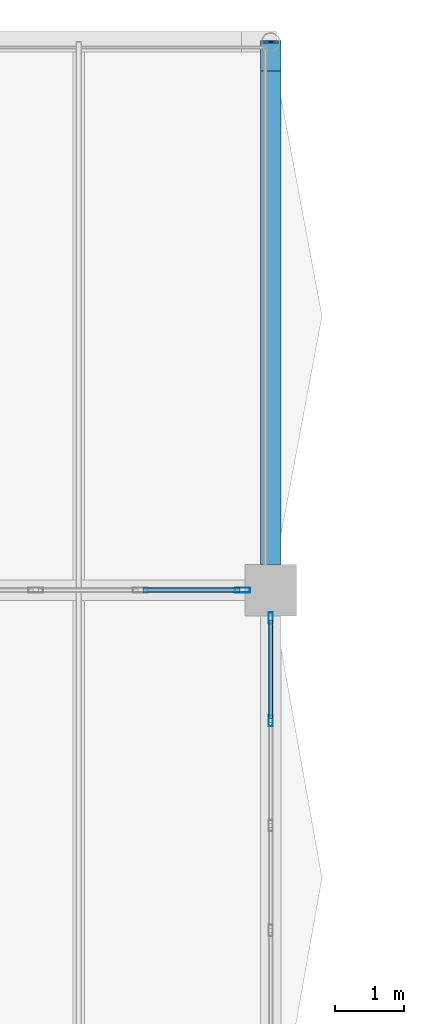
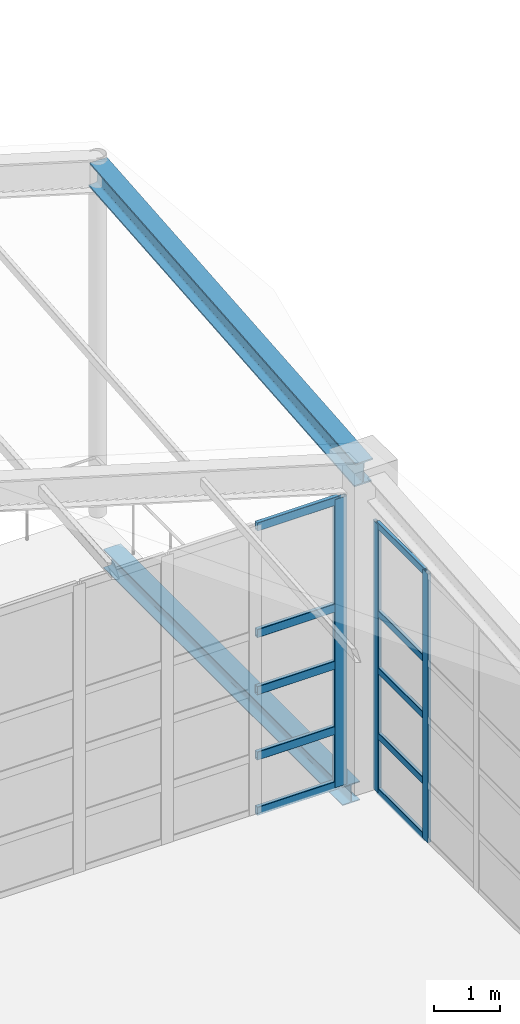
# One storey, part 51 of 95: 14 members, 1 beam, 2 elements without a shape of their own.
"""IFC4 building model written with IfcOpenShell, lengths in metres."""

from ifc_helpers import new_model, si_unit, direction, frame, origin, origin_2d, place, context, subcontext, project, spatial, hollow_rectangle, i_section, extrude, material, layer, layer_set, material_profile, profile_set, type_object, element, aggregate, save


model = new_model("IFC4")

# Units and contexts
model_context = context("Model", 3, precision=1e-05, world=origin(), true_north=direction((0.0, 1.0)))
body_context = subcontext(model_context, "Body", "Model", "MODEL_VIEW")
ifc_project = project(units=[si_unit("LENGTHUNIT", "METRE"), si_unit("AREAUNIT", "SQUARE_METRE"), si_unit("VOLUMEUNIT", "CUBIC_METRE"), si_unit("PLANEANGLEUNIT", "RADIAN"), si_unit("MASSUNIT", "GRAM", prefix="KILO"), si_unit("THERMODYNAMICTEMPERATUREUNIT", "KELVIN"), si_unit("POWERUNIT", "WATT")], contexts=[model_context])

# Site, building, storey
site_placement = place(None, origin())
site = spatial("IfcSite", under=ifc_project, at=site_placement, CompositionType="ELEMENT")
building_placement = place(site_placement, origin())
building = spatial("IfcBuilding", under=site, at=building_placement, Name="Mavoryth Pier Ferry Terminal", CompositionType="ELEMENT")
storey_placement = place(building_placement, frame((0.0, 0.0, 9.60009765625)))
storey = spatial("IfcBuildingStorey", under=building, at=storey_placement, Name="L02", CompositionType="ELEMENT", Elevation=9.60009765625)

# Member
ifc_material_1 = material(Name="Steel S355J2", Category="steel")
ifc_material_profile_1 = material_profile(ifc_material_1, i_section(OverallWidth=0.300048828125, OverallDepth=0.449951171875, WebThickness=0.013916015625, FlangeThickness=0.02587890625, FilletRadius=0.027099609375, at=origin_2d()), Name="HEB 450", Category="steel")
ifc_profile_set_1 = profile_set([ifc_material_profile_1], Name="Steel S355J2 - HEB 450")
member_type_1 = type_object("IfcMemberType", Name="Chord-Eave-HEB450", PredefinedType="CHORD", material=ifc_profile_set_1)
member_1_placement = place(storey_placement, frame((33.60009765625, 106.0, 5.58642578125), z_axis=(0.0, 0.996402543032, 0.084746517561), x_axis=(-1.0, 0.0, 0.0)))
element("IfcMember", 1, at=member_1_placement, inside=storey, type_object=member_type_1, Name="Steel Member MB-L02-0177", PredefinedType="CHORD", context=body_context, shape_type="SweptSolid", body=[
    extrude(i_section(OverallWidth=0.300048828125, OverallDepth=0.449951171875, WebThickness=0.013916015625, FlangeThickness=0.02587890625, FilletRadius=0.027099609375, at=origin_2d()), origin(), (0.0, 0.0, 1.0), 8.02880859375),
])

# Curtain wall, members
ifc_material_2 = material(Name="Anodised Aluminium and Solar-Control Low-E Glass", Category="aluminium")
ifc_layer_1 = layer(ifc_material_2, 0.179931640625, Name="Anodised Aluminium and Solar-Control Low-E Glass", Category="aluminium")
ifc_layer_set_1 = layer_set([ifc_layer_1], Name="Anodised Aluminium and Solar-Control Low-E Glass - CW-Concourse-Mod1400")
curtain_wall_type_1 = type_object("IfcCurtainWallType", Name="CW-Concourse-Mod1400", PredefinedType="USERDEFINED", material=ifc_layer_set_1)
curtain_wall_1_placement = place(storey_placement, origin())
curtain_wall_1 = element("IfcCurtainWall", 2, at=curtain_wall_1_placement, inside=storey, type_object=curtain_wall_type_1, Name="Curtain Wall CW-0222-035", ObjectType="UNITISED CURTAIN WALL", PredefinedType="USERDEFINED")
ifc_material_3 = material(Name="Anodised Aluminium EN AW-6063", Category="aluminium")
ifc_material_profile_2 = material_profile(ifc_material_3, hollow_rectangle(XDim=0.06005859375, YDim=0.1650390625, WallThickness=0.00390625, InnerFilletRadius=0.00390625, OuterFilletRadius=0.008056640625, at=origin_2d()), Name="AL-MULL 165x60x4", Category="aluminium")
ifc_profile_set_2 = profile_set([ifc_material_profile_2], Name="Anodised Aluminium EN AW-6063 - AL-MULL 165x60x4")
member_type_2 = type_object("IfcMemberType", Name="Mullion-Alum-165x60", PredefinedType="MULLION", material=ifc_profile_set_2)
member_2_placement = place(storey_placement, frame((33.60009765625, 104.094970703125, 0.0), z_axis=(0.0, 0.0, 1.0), x_axis=(-1.0, 0.0, 0.0)))
member_2 = element("IfcMember", 3, at=member_2_placement, type_object=member_type_2, Name="CW01 mullion 5", PredefinedType="MULLION", context=body_context, shape_type="SweptSolid", body=[
    extrude(hollow_rectangle(XDim=0.06005859375, YDim=0.1650390625, WallThickness=0.00390625, InnerFilletRadius=0.00390625, OuterFilletRadius=0.008056640625, at=origin_2d()), origin(), (0.0, 0.0, 1.0), 4.93603515625),
])
member_3_placement = place(storey_placement, frame((33.60009765625, 105.594970703125, 0.0), z_axis=(0.0, 0.0, 1.0), x_axis=(-1.0, 0.0, 0.0)))
member_3 = element("IfcMember", 4, at=member_3_placement, type_object=member_type_2, Name="CW01 mullion 6", PredefinedType="MULLION", context=body_context, shape_type="SweptSolid", body=[
    extrude(hollow_rectangle(XDim=0.06005859375, YDim=0.1650390625, WallThickness=0.00390625, InnerFilletRadius=0.00390625, OuterFilletRadius=0.008056640625, at=origin_2d()), origin(), (0.0, 0.0, 1.0), 4.93603515625),
])

# Curtain wall, member
ifc_layer_2 = layer(ifc_material_2, 0.219970703125, Name="Anodised Aluminium and Solar-Control Low-E Glass", Category="aluminium")
ifc_layer_set_2 = layer_set([ifc_layer_2], Name="Anodised Aluminium and Solar-Control Low-E Glass - CW-Seaward-Tall-Mod1400")
curtain_wall_type_2 = type_object("IfcCurtainWallType", Name="CW-Seaward-Tall-Mod1400", PredefinedType="USERDEFINED", material=ifc_layer_set_2)
curtain_wall_2_placement = place(storey_placement, origin())
curtain_wall_2 = element("IfcCurtainWall", 5, at=curtain_wall_2_placement, inside=storey, type_object=curtain_wall_type_2, Name="Curtain Wall CW-0254-047", ObjectType="UNITISED CURTAIN WALL", PredefinedType="USERDEFINED")
ifc_material_profile_3 = material_profile(ifc_material_3, hollow_rectangle(XDim=0.074951171875, YDim=0.219970703125, WallThickness=0.0048828125, InnerFilletRadius=0.0048828125, OuterFilletRadius=0.010009765625, at=origin_2d()), Name="AL-MULL 220x75x5", Category="aluminium")
ifc_profile_set_3 = profile_set([ifc_material_profile_3], Name="Anodised Aluminium EN AW-6063 - AL-MULL 220x75x5")
member_type_3 = type_object("IfcMemberType", Name="Mullion-Alum-220x75", PredefinedType="MULLION", material=ifc_profile_set_3)
member_4_placement = place(storey_placement, frame((33.1875, 106.0, 0.0), z_axis=(0.0, 0.0, 1.0), x_axis=(0.0, -1.0, 0.0)))
member_4 = element("IfcMember", 6, at=member_4_placement, type_object=member_type_3, Name="CW03 mullion 1", PredefinedType="MULLION", context=body_context, shape_type="SweptSolid", body=[
    extrude(hollow_rectangle(XDim=0.074951171875, YDim=0.219970703125, WallThickness=0.0048828125, InnerFilletRadius=0.0048828125, OuterFilletRadius=0.010009765625, at=origin_2d()), origin(), (0.0, 0.0, 1.0), 5.293212890625),
])

# Beam
ifc_material_profile_4 = material_profile(ifc_material_1, i_section(OverallWidth=0.300048828125, OverallDepth=0.35009765625, WebThickness=0.010009765625, FlangeThickness=0.017578125, FilletRadius=0.027099609375, at=origin_2d()), Name="HEA 360", Category="steel")
ifc_profile_set_4 = profile_set([ifc_material_profile_4], Name="Steel S355J2 - HEA 360")
beam_type = type_object("IfcBeamType", Name="Spandrel-Steel-HEA360", PredefinedType="SPANDREL", material=ifc_profile_set_4)
beam_placement = place(storey_placement, frame((33.60009765625, 106.375, -0.53515625), z_axis=(0.0, 1.0, 0.0), x_axis=(-1.0, 0.0, 0.0)))
element("IfcBeam", 7, at=beam_placement, inside=storey, type_object=beam_type, Name="Beam B02-SP03-0652", PredefinedType="SPANDREL", context=body_context, shape_type="SweptSolid", body=[
    extrude(i_section(OverallWidth=0.300048828125, OverallDepth=0.35009765625, WebThickness=0.010009765625, FlangeThickness=0.017578125, FilletRadius=0.027099609375, at=origin_2d()), origin(), (0.0, 0.0, 1.0), 7.199951171875),
])

# Member
ifc_material_profile_5 = material_profile(ifc_material_3, hollow_rectangle(XDim=0.06005859375, YDim=0.125, WallThickness=0.00390625, InnerFilletRadius=0.00390625, OuterFilletRadius=0.008056640625, at=origin_2d()), Name="AL-TRAN 125x60x4", Category="aluminium")
ifc_profile_set_5 = profile_set([ifc_material_profile_5], Name="Anodised Aluminium EN AW-6063 - AL-TRAN 125x60x4")
member_type_4 = type_object("IfcMemberType", Name="Transom-Alum-125x60", PredefinedType="USERDEFINED", material=ifc_profile_set_5)
member_5_placement = place(storey_placement, frame((33.60009765625, 104.125, 0.02978515625), z_axis=(0.0, 1.0, 0.0), x_axis=(-1.0, 0.0, 0.0)))
member_5 = element("IfcMember", 8, at=member_5_placement, type_object=member_type_4, Name="CW01 transom 5.1", ObjectType="TRANSOM", PredefinedType="USERDEFINED", context=body_context, shape_type="SweptSolid", body=[
    extrude(hollow_rectangle(XDim=0.06005859375, YDim=0.125, WallThickness=0.00390625, InnerFilletRadius=0.00390625, OuterFilletRadius=0.008056640625, at=origin_2d()), origin(), (0.0, 0.0, 1.0), 1.43994140625),
])

member_6_placement = place(storey_placement, frame((33.60009765625, 104.125, 1.0498046875), z_axis=(0.0, 1.0, 0.0), x_axis=(-1.0, 0.0, 0.0)))
member_6 = element("IfcMember", 9, at=member_6_placement, type_object=member_type_4, Name="CW01 transom 5.2", ObjectType="TRANSOM", PredefinedType="USERDEFINED", context=body_context, shape_type="SweptSolid", body=[
    extrude(hollow_rectangle(XDim=0.06005859375, YDim=0.125, WallThickness=0.00390625, InnerFilletRadius=0.00390625, OuterFilletRadius=0.008056640625, at=origin_2d()), origin(), (0.0, 0.0, 1.0), 1.43994140625),
])

member_7_placement = place(storey_placement, frame((33.60009765625, 104.125, 2.25), z_axis=(0.0, 1.0, 0.0), x_axis=(-1.0, 0.0, 0.0)))
member_7 = element("IfcMember", 10, at=member_7_placement, type_object=member_type_4, Name="CW01 transom 5.3", ObjectType="TRANSOM", PredefinedType="USERDEFINED", context=body_context, shape_type="SweptSolid", body=[
    extrude(hollow_rectangle(XDim=0.06005859375, YDim=0.125, WallThickness=0.00390625, InnerFilletRadius=0.00390625, OuterFilletRadius=0.008056640625, at=origin_2d()), origin(), (0.0, 0.0, 1.0), 1.43994140625),
])

member_8_placement = place(storey_placement, frame((33.60009765625, 104.125, 3.2998046875), z_axis=(0.0, 1.0, 0.0), x_axis=(-1.0, 0.0, 0.0)))
member_8 = element("IfcMember", 11, at=member_8_placement, type_object=member_type_4, Name="CW01 transom 5.4", ObjectType="TRANSOM", PredefinedType="USERDEFINED", context=body_context, shape_type="SweptSolid", body=[
    extrude(hollow_rectangle(XDim=0.06005859375, YDim=0.125, WallThickness=0.00390625, InnerFilletRadius=0.00390625, OuterFilletRadius=0.008056640625, at=origin_2d()), origin(), (0.0, 0.0, 1.0), 1.43994140625),
])

member_9_placement = place(storey_placement, frame((33.60009765625, 104.125, 4.906005859375), z_axis=(0.0, 1.0, 0.0), x_axis=(-1.0, 0.0, 0.0)))
member_9 = element("IfcMember", 12, at=member_9_placement, type_object=member_type_4, Name="CW01 transom 5.5", ObjectType="TRANSOM", PredefinedType="USERDEFINED", context=body_context, shape_type="SweptSolid", body=[
    extrude(hollow_rectangle(XDim=0.06005859375, YDim=0.125, WallThickness=0.00390625, InnerFilletRadius=0.00390625, OuterFilletRadius=0.008056640625, at=origin_2d()), origin(), (0.0, 0.0, 1.0), 1.43994140625),
])

aggregate(curtain_wall_1, [member_2, member_3, member_5, member_6, member_7, member_8, member_9])

ifc_material_profile_6 = material_profile(ifc_material_3, hollow_rectangle(XDim=0.070068359375, YDim=0.155029296875, WallThickness=0.00390625, InnerFilletRadius=0.00390625, OuterFilletRadius=0.008056640625, at=origin_2d()), Name="AL-TRAN 155x70x4", Category="aluminium")
ifc_profile_set_6 = profile_set([ifc_material_profile_6], Name="Anodised Aluminium EN AW-6063 - AL-TRAN 155x70x4")
member_type_5 = type_object("IfcMemberType", Name="Transom-Alum-155x70", PredefinedType="USERDEFINED", material=ifc_profile_set_6)
member_10_placement = place(storey_placement, frame((33.14990234375, 106.0, 0.034912109375), z_axis=(-1.0, 0.0, 0.0), x_axis=(0.0, -1.0, 0.0)))
member_10 = element("IfcMember", 13, at=member_10_placement, type_object=member_type_5, Name="CW03 transom 1.1", ObjectType="TRANSOM", PredefinedType="USERDEFINED", context=body_context, shape_type="SweptSolid", body=[
    extrude(hollow_rectangle(XDim=0.070068359375, YDim=0.155029296875, WallThickness=0.00390625, InnerFilletRadius=0.00390625, OuterFilletRadius=0.008056640625, at=origin_2d()), origin(), (0.0, 0.0, 1.0), 1.414306640625),
])

member_11_placement = place(storey_placement, frame((33.14990234375, 106.0, 1.0498046875), z_axis=(-1.0, 0.0, 0.0), x_axis=(0.0, -1.0, 0.0)))
member_11 = element("IfcMember", 14, at=member_11_placement, type_object=member_type_5, Name="CW03 transom 1.2", ObjectType="TRANSOM", PredefinedType="USERDEFINED", context=body_context, shape_type="SweptSolid", body=[
    extrude(hollow_rectangle(XDim=0.070068359375, YDim=0.155029296875, WallThickness=0.00390625, InnerFilletRadius=0.00390625, OuterFilletRadius=0.008056640625, at=origin_2d()), origin(), (0.0, 0.0, 1.0), 1.414306640625),
])

member_12_placement = place(storey_placement, frame((33.14990234375, 106.0, 2.25), z_axis=(-1.0, 0.0, 0.0), x_axis=(0.0, -1.0, 0.0)))
member_12 = element("IfcMember", 15, at=member_12_placement, type_object=member_type_5, Name="CW03 transom 1.3", ObjectType="TRANSOM", PredefinedType="USERDEFINED", context=body_context, shape_type="SweptSolid", body=[
    extrude(hollow_rectangle(XDim=0.070068359375, YDim=0.155029296875, WallThickness=0.00390625, InnerFilletRadius=0.00390625, OuterFilletRadius=0.008056640625, at=origin_2d()), origin(), (0.0, 0.0, 1.0), 1.414306640625),
])

member_13_placement = place(storey_placement, frame((33.14990234375, 106.0, 3.2998046875), z_axis=(-1.0, 0.0, 0.0), x_axis=(0.0, -1.0, 0.0)))
member_13 = element("IfcMember", 16, at=member_13_placement, type_object=member_type_5, Name="CW03 transom 1.4", ObjectType="TRANSOM", PredefinedType="USERDEFINED", context=body_context, shape_type="SweptSolid", body=[
    extrude(hollow_rectangle(XDim=0.070068359375, YDim=0.155029296875, WallThickness=0.00390625, InnerFilletRadius=0.00390625, OuterFilletRadius=0.008056640625, at=origin_2d()), origin(), (0.0, 0.0, 1.0), 1.414306640625),
])

member_14_placement = place(storey_placement, frame((33.14990234375, 106.0, 5.25830078125), z_axis=(-1.0, 0.0, 0.0), x_axis=(0.0, -1.0, 0.0)))
member_14 = element("IfcMember", 17, at=member_14_placement, type_object=member_type_5, Name="CW03 transom 1.5", ObjectType="TRANSOM", PredefinedType="USERDEFINED", context=body_context, shape_type="SweptSolid", body=[
    extrude(hollow_rectangle(XDim=0.070068359375, YDim=0.155029296875, WallThickness=0.00390625, InnerFilletRadius=0.00390625, OuterFilletRadius=0.008056640625, at=origin_2d()), origin(), (0.0, 0.0, 1.0), 1.414306640625),
])

aggregate(curtain_wall_2, [member_4, member_10, member_11, member_12, member_13, member_14])

save(model, "model.ifc")
